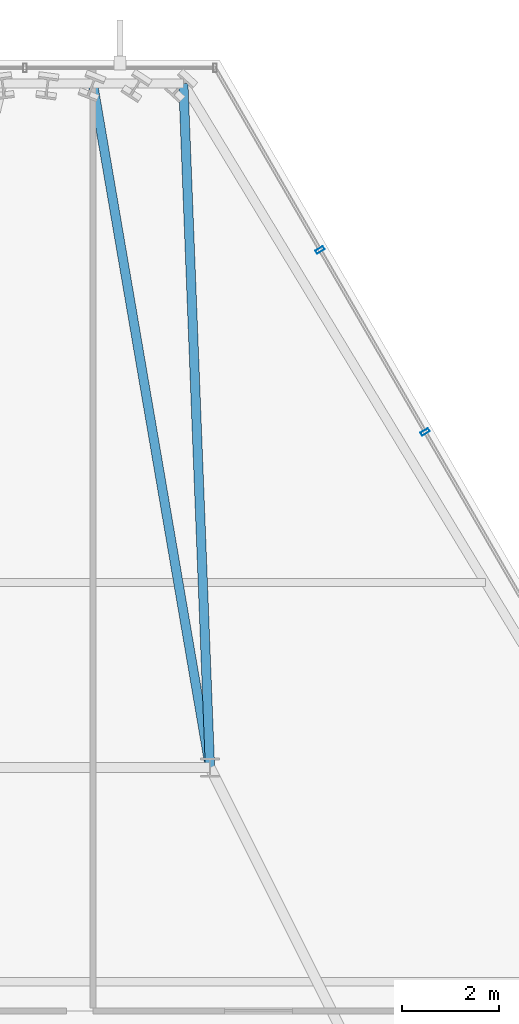
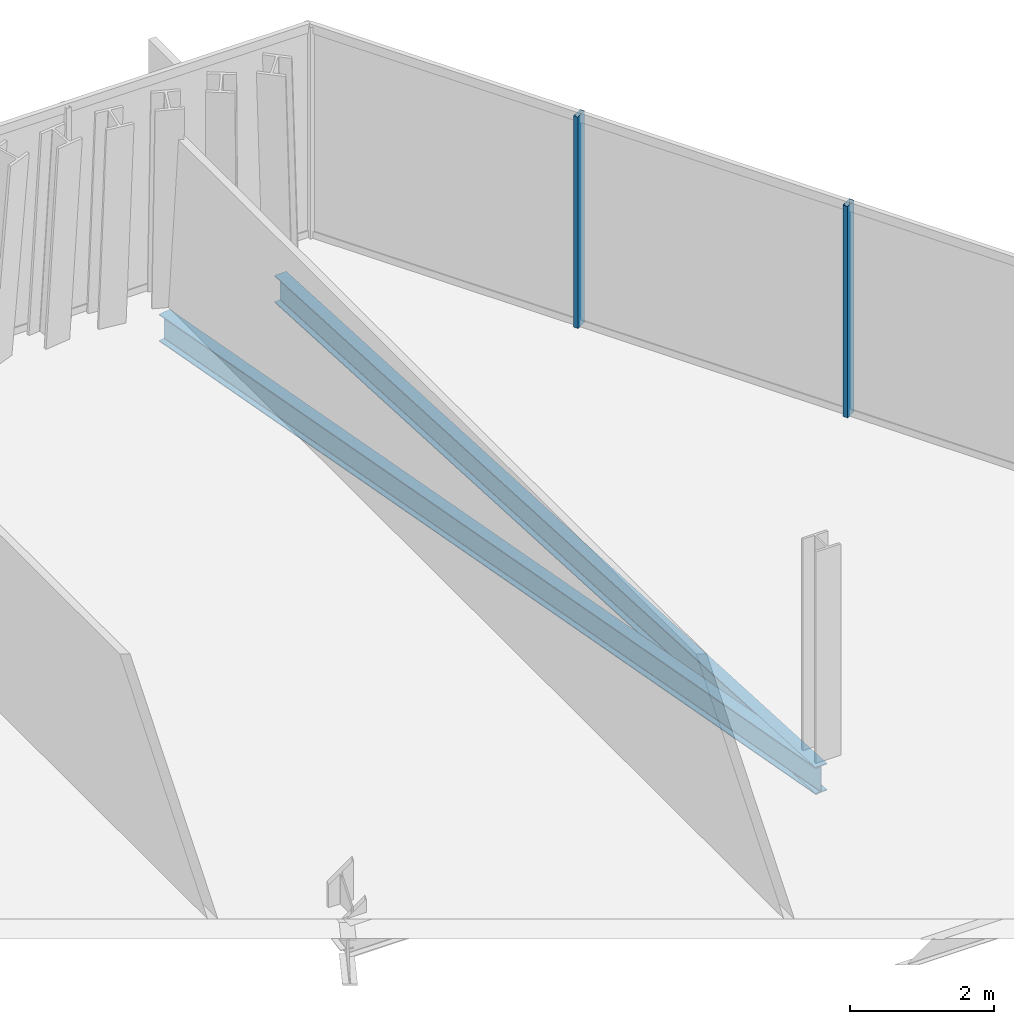
# One storey, part 21 of 30: 2 beams, 2 members, 1 element without a shape of its own.
"""IFC4 building model written with IfcOpenShell, lengths in metres."""

from ifc_helpers import new_model, si_unit, direction, frame, origin, origin_2d, place, context, subcontext, project, spatial, hollow_rectangle, i_section, extrude, material, layer, layer_set, material_profile, profile_set, type_object, element, aggregate, save


model = new_model("IFC4")

# Units and contexts
model_context = context("Model", 3, precision=1e-05, world=origin(), true_north=direction((0.0, 1.0)))
body_context = subcontext(model_context, "Body", "Model", "MODEL_VIEW")
ifc_project = project(units=[si_unit("LENGTHUNIT", "METRE"), si_unit("AREAUNIT", "SQUARE_METRE"), si_unit("VOLUMEUNIT", "CUBIC_METRE"), si_unit("PLANEANGLEUNIT", "RADIAN"), si_unit("MASSUNIT", "GRAM", prefix="KILO")], contexts=[model_context])

# Site, building, storey
site_placement = place(None, origin())
site = spatial("IfcSite", under=ifc_project, at=site_placement, CompositionType="ELEMENT")
building_placement = place(site_placement, origin())
building = spatial("IfcBuilding", under=site, at=building_placement, Name="Ndaravel Arena Tower", CompositionType="ELEMENT")
storey_placement = place(building_placement, frame((0.0, 0.0, 225.60009765625)))
storey = spatial("IfcBuildingStorey", under=building, at=storey_placement, Name="L54", CompositionType="ELEMENT", Elevation=225.60009765625)

# Beams
ifc_material_1 = material(Name="Steel S355", Category="steel")
ifc_material_profile_1 = material_profile(ifc_material_1, i_section(OverallWidth=0.19140625, OverallDepth=0.4599609375, WebThickness=0.010009765625, FlangeThickness=0.01611328125, FilletRadius=0.01025390625, at=origin_2d()), Name="UB 457x191x82")
ifc_profile_set_1 = profile_set([ifc_material_profile_1], Name="Steel S355")
beam_type = type_object("IfcBeamType", Name="BM-GIRD-UB457", PredefinedType="BEAM", material=ifc_profile_set_1)
beam_1_placement = place(storey_placement, frame((45.25244140625, 45.2578125, -0.4501953125), z_axis=(0.038924300896, -0.999242162241, 0.0), x_axis=(0.999242162241, 0.038924300896, 0.0)))
element("IfcBeam", 1, at=beam_1_placement, inside=storey, type_object=beam_type, Name="L54 Radial Floor Girder FG-11", PredefinedType="BEAM", context=body_context, shape_type="SweptSolid", body=[
    extrude(i_section(OverallWidth=0.19140625, OverallDepth=0.4599609375, WebThickness=0.010009765625, FlangeThickness=0.01611328125, FilletRadius=0.01025390625, at=origin_2d()), origin(), (0.0, 0.0, 1.0), 14.068603515625),
])
beam_2_placement = place(storey_placement, frame((43.393798828125, 45.2578125, -0.4501953125), z_axis=(0.16871389667, -0.98566506536, 0.0), x_axis=(0.98566506536, 0.16871389667, 0.0)))
element("IfcBeam", 2, at=beam_2_placement, inside=storey, type_object=beam_type, Name="L54 Radial Floor Girder FG-13", PredefinedType="BEAM", context=body_context, shape_type="SweptSolid", body=[
    extrude(i_section(OverallWidth=0.19140625, OverallDepth=0.4599609375, WebThickness=0.010009765625, FlangeThickness=0.01611328125, FilletRadius=0.01025390625, at=origin_2d()), origin(), (0.0, 0.0, 1.0), 14.26220703125),
])

# Curtain wall, members
ifc_material_2 = material(Name="Aluminium", Category="aluminium")
ifc_layer = layer(ifc_material_2, 0.179931640625)
ifc_layer_set = layer_set([ifc_layer], Name="Aluminium")
curtain_wall_type = type_object("IfcCurtainWallType", Name="CW-SYS-03", PredefinedType="NOTDEFINED", material=ifc_layer_set)
curtain_wall_placement = place(storey_placement, origin())
curtain_wall = element("IfcCurtainWall", 3, at=curtain_wall_placement, inside=storey, type_object=curtain_wall_type, Name="L54 Faceted Crystal Curtain Wall CW-L54-E03", PredefinedType="NOTDEFINED")
ifc_material_3 = material(Name="Aluminium", Category="aluminium")
ifc_material_profile_2 = material_profile(ifc_material_3, hollow_rectangle(XDim=0.074951171875, YDim=0.179931640625, WallThickness=0.00390625, at=origin_2d()), Name="CW MULLION 75x180x4")
ifc_profile_set_2 = profile_set([ifc_material_profile_2], Name="Aluminium")
member_type = type_object("IfcMemberType", Name="MEM-CW-MUL180", PredefinedType="MULLION", material=ifc_profile_set_2)
member_1_placement = place(storey_placement, frame((50.22021484375, 38.097900390625, 0.0), z_axis=(0.0, 0.0, 1.0), x_axis=(-0.5, 0.866025403784, 0.0)))
member_1 = element("IfcMember", 4, at=member_1_placement, type_object=member_type, Name="CW-L54-E03 Mullion 07", PredefinedType="MULLION", context=body_context, shape_type="SweptSolid", body=[
    extrude(hollow_rectangle(XDim=0.074951171875, YDim=0.179931640625, WallThickness=0.00390625, at=origin_2d()), origin(), (0.0, 0.0, 1.0), 3.579833984375),
])
member_2_placement = place(storey_placement, frame((48.06103515625, 41.837890625, 0.0), z_axis=(0.0, 0.0, 1.0), x_axis=(-0.5, 0.866025403784, 0.0)))
member_2 = element("IfcMember", 5, at=member_2_placement, type_object=member_type, Name="CW-L54-E03 Mullion 08", PredefinedType="MULLION", context=body_context, shape_type="SweptSolid", body=[
    extrude(hollow_rectangle(XDim=0.074951171875, YDim=0.179931640625, WallThickness=0.00390625, at=origin_2d()), origin(), (0.0, 0.0, 1.0), 3.579833984375),
])
aggregate(curtain_wall, [member_1, member_2])

save(model, "model.ifc")
